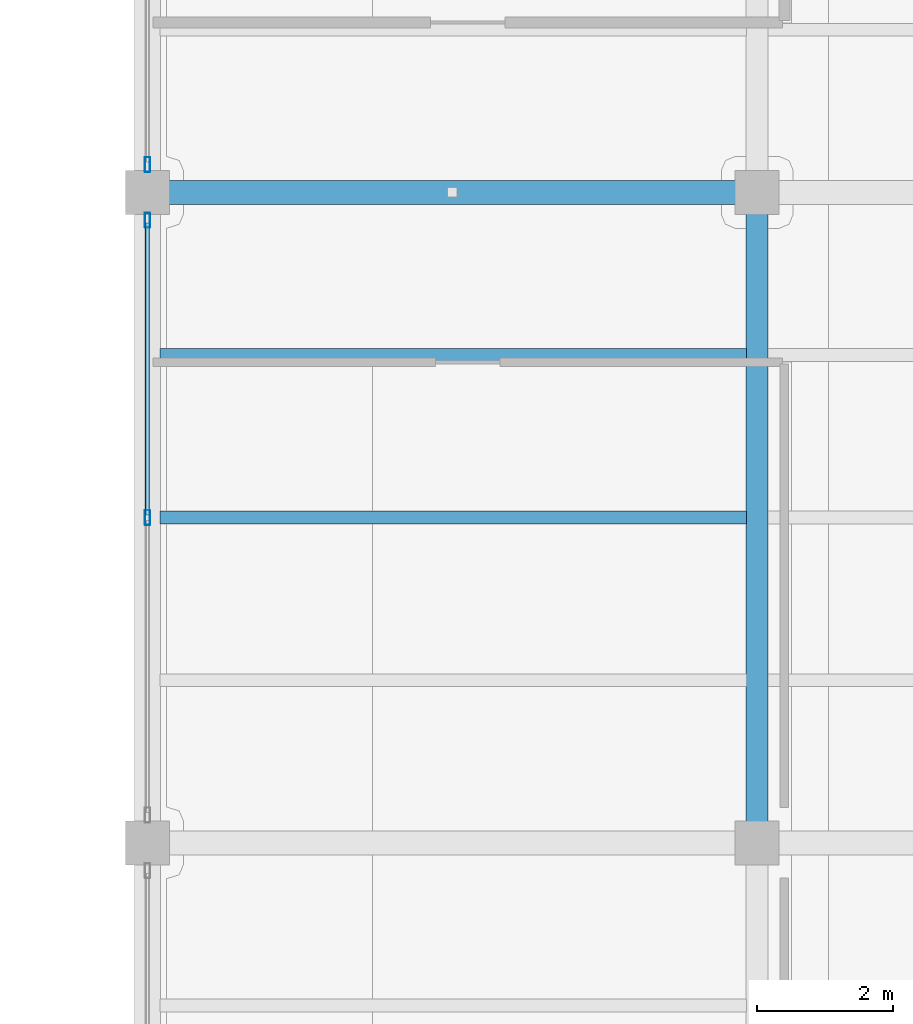
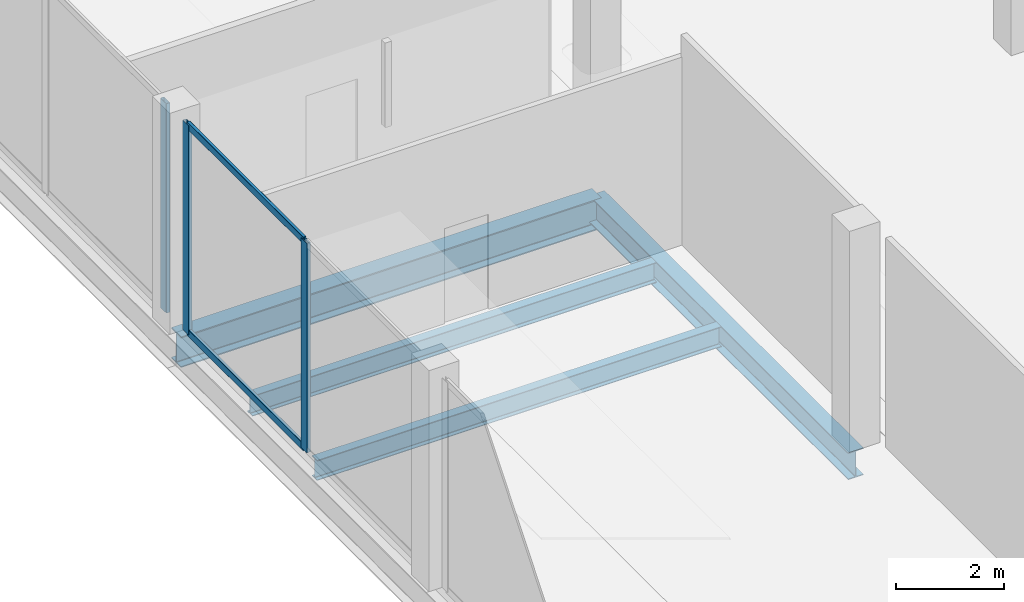
# One storey, part 7 of 46: 5 members, 4 beams, 2 elements without a shape of their own.
"""IFC4 building model written with IfcOpenShell, lengths in metres."""

import ifcopenshell
import ifcopenshell.guid

model = None  # the IFC model being written
_history = None  # IfcOwnerHistory: only IFC2X3 demands one
_inside = {}  # id of a spatial element -> (the spatial element, [elements in it])
_under = {}  # id of a project, library or spatial element -> (it, [spatial elements below it])
_declared = {}  # id of a project -> (the project, [libraries it declares])
_typed = {}  # id of a type object -> (the type object, [elements of that type])
_made_of = {}  # id of a material, layer set ... -> (it, [elements and type objects made of it])


def new_model(schema):
    """Start an empty IFC model of exactly this schema.

    Asked for "IFC4X3", IfcOpenShell would pick the latest addendum, in which some entities
    have other attributes; the version numbers below select the first issue.
    IFC2X3 requires an IfcOwnerHistory on every rooted entity: one is made here for all.
    """
    global model, _history
    if schema == "IFC4X3":
        model = ifcopenshell.file(schema_version=(4, 3, 0, 0))
    else:
        model = ifcopenshell.file(schema=schema)
    _inside.clear()
    _under.clear()
    _declared.clear()
    _typed.clear()
    _made_of.clear()
    _history = None
    if model.schema == "IFC2X3":
        org = make("IfcOrganization", Name="unknown")
        user = make(
            "IfcPersonAndOrganization",
            ThePerson=make("IfcPerson", FamilyName="unknown"),
            TheOrganization=org,
        )
        app = make(
            "IfcApplication",
            ApplicationDeveloper=org,
            Version="unknown",
            ApplicationFullName="unknown",
            ApplicationIdentifier="unknown",
        )
        _history = make(
            "IfcOwnerHistory",
            OwningUser=user,
            OwningApplication=app,
            ChangeAction="ADDED",
            CreationDate=0,
        )
    return model


def make(cls, **values):
    """One entity of the class cls with the attributes given. An attribute that is None is left unset."""
    return model.create_entity(
        cls, **{name: value for name, value in values.items() if value is not None}
    )


def rooted(cls, **values):
    """An entity with a GlobalId (a new one), such as an element, a storey or a relation."""
    return make(cls, GlobalId=ifcopenshell.guid.new(), OwnerHistory=_history, **values)


def si_unit(unit_type, name, prefix=None):
    """IfcSIUnit, for example si_unit("LENGTHUNIT", "METRE", prefix="MILLI")."""
    return make("IfcSIUnit", UnitType=unit_type, Prefix=prefix, Name=name)


def assignment(units):
    """IfcUnitAssignment: the units of a project."""
    return None if units is None else make("IfcUnitAssignment", Units=units)


def point(xyz):
    """IfcCartesianPoint."""
    return None if xyz is None else make("IfcCartesianPoint", Coordinates=xyz)


def direction(xyz):
    """IfcDirection."""
    return None if xyz is None else make("IfcDirection", DirectionRatios=xyz)


def frame(location, z_axis=None, x_axis=None):
    """IfcAxis2Placement3D, a coordinate frame: its origin and axes. An axis left out is left unset."""
    return make(
        "IfcAxis2Placement3D",
        Location=point(location),
        Axis=direction(z_axis),
        RefDirection=direction(x_axis),
    )


def frame_2d(location, x_axis=None):
    """IfcAxis2Placement2D, a coordinate frame in the plane: its origin and x axis."""
    return make(
        "IfcAxis2Placement2D", Location=point(location), RefDirection=direction(x_axis)
    )


def origin():
    """The frame at (0, 0, 0) with its axes left unset."""
    return frame((0.0, 0.0, 0.0))


def origin_2d():
    """The frame at (0, 0) in the plane with its x axis left unset."""
    return frame_2d((0.0, 0.0))


def place(relative_to, where):
    """IfcLocalPlacement: puts the frame where relative to a parent placement (None: the world)."""
    return make(
        "IfcLocalPlacement", PlacementRelTo=relative_to, RelativePlacement=where
    )


def context(
    kind, dimensions, precision=None, world=None, true_north=None, identifier=None
):
    """IfcGeometricRepresentationContext, for example the 3D "Model" context."""
    return make(
        "IfcGeometricRepresentationContext",
        ContextIdentifier=identifier,
        ContextType=kind,
        CoordinateSpaceDimension=dimensions,
        Precision=precision,
        WorldCoordinateSystem=world,
        TrueNorth=true_north,
    )


def subcontext(parent, identifier, kind, view, scale=None):
    """IfcGeometricRepresentationSubContext, for example "Body" below "Model"."""
    return make(
        "IfcGeometricRepresentationSubContext",
        ContextIdentifier=identifier,
        ContextType=kind,
        ParentContext=parent,
        TargetScale=scale,
        TargetView=view,
    )


def project(units=None, contexts=None):
    """IfcProject with its units and contexts."""
    return rooted(
        "IfcProject",
        Name="project",
        RepresentationContexts=contexts,
        UnitsInContext=assignment(units),
    )


def spatial(cls, under=None, at=None, **own):
    """A site, building, storey or space (cls), placed at a placement, below another one or the project."""
    s = rooted(cls, ObjectPlacement=at, **own)
    if under is not None:
        _under.setdefault(under.id(), (under, []))[1].append(s)
    return s


def profile(cls, at=None, kind="AREA", **sizes):
    """A parametric profile (cls). Its sizes go by their IFC names, for example OverallWidth=200.0."""
    return make(cls, ProfileType=kind, Position=at, **sizes)


def hollow_rectangle(**sizes):
    """IfcRectangleHollowProfileDef."""
    return profile("IfcRectangleHollowProfileDef", **sizes)


def i_section(**sizes):
    """IfcIShapeProfileDef."""
    return profile("IfcIShapeProfileDef", **sizes)


def extrude(swept, where, along, depth):
    """IfcExtrudedAreaSolid: the profile swept, set in the frame where, extruded along a direction by depth."""
    return make(
        "IfcExtrudedAreaSolid",
        SweptArea=swept,
        Position=where,
        ExtrudedDirection=direction(along),
        Depth=depth,
    )


def shape(context_of_items, identifier, shape_type, items):
    """IfcShapeRepresentation: the items that make up one representation, for example the "Body"."""
    return make(
        "IfcShapeRepresentation",
        ContextOfItems=context_of_items,
        RepresentationIdentifier=identifier,
        RepresentationType=shape_type,
        Items=items,
    )


def material(Name=None, Category=None):
    """IfcMaterial."""
    return make("IfcMaterial", Name=Name, Category=Category)


def layer(
    of_material, thickness, ventilated=None, Name=None, Category=None, Priority=None
):
    """IfcMaterialLayer: one layer of a wall or slab, of a material (None: an air gap)."""
    return make(
        "IfcMaterialLayer",
        Material=of_material,
        LayerThickness=thickness,
        IsVentilated=ventilated,
        Name=Name,
        Category=Category,
        Priority=Priority,
    )


def layer_set(layers, Name=None):
    """IfcMaterialLayerSet."""
    return make("IfcMaterialLayerSet", MaterialLayers=layers, LayerSetName=Name)


def material_profile(
    of_material, cross_section, Name=None, Category=None, Priority=None
):
    """IfcMaterialProfile: a cross section and its material."""
    return make(
        "IfcMaterialProfile",
        Name=Name,
        Material=of_material,
        Profile=cross_section,
        Priority=Priority,
        Category=Category,
    )


def profile_set(profiles, Name=None, composite=None):
    """IfcMaterialProfileSet."""
    return make(
        "IfcMaterialProfileSet",
        Name=Name,
        MaterialProfiles=profiles,
        CompositeProfile=composite,
    )


def made_of(thing, what):
    """Note that an element or type object is made of a material, layer set ...; save() writes the relation."""
    if what is not None:
        _made_of.setdefault(what.id(), (what, []))[1].append(thing)
    return thing


def type_object(cls, material=None, **own):
    """A type object (cls), such as IfcWallType, which elements share."""
    return made_of(rooted(cls, **own), material)


def element(
    cls,
    number,
    at=None,
    inside=None,
    cuts=None,
    type_object=None,
    material=None,
    context=None,
    identifier="Body",
    shape_type=None,
    held_by="IfcProductDefinitionShape",
    body=None,
    shapes=None,
    **own,
):
    """One element of the class cls, such as IfcWall. Its Tag is "e" and its number.

    at: its placement. inside: the storey or other place that contains it. cuts: it is an
    opening in that element (IfcRelVoidsElement). A single representation is given by context,
    identifier, shape_type and body (its items); several are given by shapes. held_by: the class
    of the entity that holds the representations. save() writes the other relations.
    """
    e = rooted(cls, Tag="e%d" % number, ObjectPlacement=at, **own)
    if body is not None:
        shapes = [shape(context, identifier, shape_type, body)]
    if shapes is not None:
        e.Representation = make(held_by, Representations=shapes)
    if inside is not None:
        _inside.setdefault(inside.id(), (inside, []))[1].append(e)
    if cuts is not None:
        rooted(
            "IfcRelVoidsElement", RelatingBuildingElement=cuts, RelatedOpeningElement=e
        )
    if type_object is not None:
        _typed.setdefault(type_object.id(), (type_object, []))[1].append(e)
    return made_of(e, material)


def aggregate(whole, parts):
    """IfcRelAggregates: a whole, such as a stair, and the parts it consists of."""
    return rooted("IfcRelAggregates", RelatingObject=whole, RelatedObjects=parts)


def save(model, path):
    """Write the relations noted so far, then the file.

    IfcRelAggregates (storeys below a building ...), IfcRelContainedInSpatialStructure (elements
    in a storey), IfcRelDefinesByType, IfcRelAssociatesMaterial and IfcRelDeclares: one each for
    every whole, place, type object, material and project.
    """
    for whole, parts in _under.values():
        aggregate(whole, parts)
    for where, things in _inside.values():
        rooted(
            "IfcRelContainedInSpatialStructure",
            RelatedElements=things,
            RelatingStructure=where,
        )
    for kind, things in _typed.values():
        rooted("IfcRelDefinesByType", RelatedObjects=things, RelatingType=kind)
    for what, things in _made_of.values():
        rooted("IfcRelAssociatesMaterial", RelatedObjects=things, RelatingMaterial=what)
    for by, libraries in _declared.values():
        rooted("IfcRelDeclares", RelatingContext=by, RelatedDefinitions=libraries)
    model.write(path)


model = new_model("IFC4")

# Units and contexts
model_context = context("Model", 3, precision=1e-05, world=origin(), true_north=direction((0.0, 1.0)))
body_context = subcontext(model_context, "Body", "Model", "MODEL_VIEW")
ifc_project = project(units=[si_unit("LENGTHUNIT", "METRE"), si_unit("AREAUNIT", "SQUARE_METRE"), si_unit("VOLUMEUNIT", "CUBIC_METRE"), si_unit("PLANEANGLEUNIT", "RADIAN"), si_unit("MASSUNIT", "GRAM", prefix="KILO")], contexts=[model_context])

# Site, building, storey
site_placement = place(None, origin())
site = spatial("IfcSite", under=ifc_project, at=site_placement, CompositionType="ELEMENT")
building_placement = place(site_placement, origin())
building = spatial("IfcBuilding", under=site, at=building_placement, Name="Qorvath Tower", CompositionType="ELEMENT")
storey_placement = place(building_placement, frame((0.0, 0.0, 17.0)))
storey = spatial("IfcBuildingStorey", under=building, at=storey_placement, Name="L03", CompositionType="ELEMENT", Elevation=17.0)

# Beams
ifc_material_1 = material(Name="Steel ASTM A992 Grade 50", Category="steel")
ifc_material_profile_1 = material_profile(ifc_material_1, i_section(OverallWidth=0.35595703125, OverallDepth=0.696044921875, WebThickness=0.015380859375, FlangeThickness=0.02490234375, FilletRadius=0.01806640625, at=origin_2d()), Name="W27x146")
ifc_profile_set_1 = profile_set([ifc_material_profile_1], Name="Steel ASTM A992 Grade 50")
beam_type_1 = type_object("IfcBeamType", Name="BM-FG4", PredefinedType="BEAM", material=ifc_profile_set_1)
beam_1_placement = place(storey_placement, frame((32.39990234375, 0.0, -0.60791015625), z_axis=(1.0, 0.0, 0.0), x_axis=(0.0, 1.0, 0.0)))
element("IfcBeam", 1, at=beam_1_placement, inside=storey, type_object=beam_type_1, Name="Library E-W Girder L03-5-1", PredefinedType="BEAM", context=body_context, shape_type="SweptSolid", body=[
    extrude(i_section(OverallWidth=0.35595703125, OverallDepth=0.696044921875, WebThickness=0.015380859375, FlangeThickness=0.02490234375, FilletRadius=0.01806640625, at=origin_2d()), origin(), (0.0, 0.0, 1.0), 9.0),
])
ifc_material_2 = material(Name="Steel ASTM A992 Grade 50", Category="steel")
ifc_material_profile_2 = material_profile(ifc_material_2, i_section(OverallWidth=0.324951171875, OverallDepth=0.615966796875, WebThickness=0.013916015625, FlangeThickness=0.021484375, FilletRadius=0.01611328125, at=origin_2d()), Name="W24x117")
ifc_profile_set_2 = profile_set([ifc_material_profile_2], Name="Steel ASTM A992 Grade 50")
beam_type_2 = type_object("IfcBeamType", Name="BM-FG5", PredefinedType="BEAM", material=ifc_profile_set_2)
beam_2_placement = place(storey_placement, frame((41.39990234375, -9.60009765625, -0.568115234375), z_axis=(0.0, 1.0, 0.0), x_axis=(-1.0, 0.0, 0.0)))
element("IfcBeam", 2, at=beam_2_placement, inside=storey, type_object=beam_type_2, Name="Library N-S Girder L03-2-4", PredefinedType="BEAM", context=body_context, shape_type="SweptSolid", body=[
    extrude(i_section(OverallWidth=0.324951171875, OverallDepth=0.615966796875, WebThickness=0.013916015625, FlangeThickness=0.021484375, FilletRadius=0.01611328125, at=origin_2d()), origin(), (0.0, 0.0, 1.0), 9.60009765625),
])
ifc_material_3 = material(Name="Steel ASTM A992 Grade 50", Category="steel")
ifc_material_profile_3 = material_profile(ifc_material_3, i_section(OverallWidth=0.18994140625, OverallDepth=0.45703125, WebThickness=0.009033203125, FlangeThickness=0.014404296875, FilletRadius=0.011962890625, at=origin_2d()), Name="W18x50")
ifc_profile_set_3 = profile_set([ifc_material_profile_3], Name="Steel ASTM A992 Grade 50")
beam_type_3 = type_object("IfcBeamType", Name="BM-FJ2", PredefinedType="JOIST", material=ifc_profile_set_3)
for number, where, z_axis, x_axis, name in (
    (3, (32.58837890625, -4.800048828125, -0.488525390625), (1.0, 0.0, 0.0), (0.0, 1.0, 0.0), "Library Stack Joist L03-4.2-1"),
    (4, (32.58837890625, -2.39990234375, -0.488525390625), (1.0, 0.0, 0.0), (0.0, 1.0, 0.0), "Library Stack Joist L03-4.3-1"),
):
    element("IfcBeam", number, at=place(storey_placement, frame(where, z_axis=z_axis, x_axis=x_axis)), inside=storey, type_object=beam_type_3, Name=name, PredefinedType="JOIST", context=body_context, shape_type="SweptSolid", body=[
        extrude(i_section(OverallWidth=0.18994140625, OverallDepth=0.45703125, WebThickness=0.009033203125, FlangeThickness=0.014404296875, FilletRadius=0.011962890625, at=origin_2d()), origin(), (0.0, 0.0, 1.0), 8.651123046875),
    ])

# Curtain wall, members
ifc_material_4 = material(Name="Anodised aluminium and triple low-E glass", Category="aluminium")
ifc_layer = layer(ifc_material_4, 0.179931640625)
ifc_layer_set = layer_set([ifc_layer], Name="CW-SYS-6")
curtain_wall_type = type_object("IfcCurtainWallType", Name="CW-SYS-6", PredefinedType="NOTDEFINED", material=ifc_layer_set)
curtain_wall_1_placement = place(storey_placement, origin())
curtain_wall_1 = element("IfcCurtainWall", 5, at=curtain_wall_1_placement, inside=storey, type_object=curtain_wall_type, Name="Curtain Wall CW-6 CW-LIB-W-L03-4", PredefinedType="NOTDEFINED")
ifc_material_5 = material(Name="Anodised aluminium 6063-T6", Category="aluminium")
ifc_material_profile_4 = material_profile(ifc_material_5, hollow_rectangle(XDim=0.080078125, YDim=0.219970703125, WallThickness=0.00439453125, InnerFilletRadius=0.00439453125, OuterFilletRadius=0.009033203125, at=origin_2d()), Name="CWM LIB 220x80")
ifc_profile_set_4 = profile_set([ifc_material_profile_4], Name="Anodised aluminium 6063-T6")
member_type_1 = type_object("IfcMemberType", Name="CWM-LIB", PredefinedType="MULLION", material=ifc_profile_set_4)
member_1_placement = place(storey_placement, frame((32.39990234375, -4.800048828125, 0.0), z_axis=(0.0, 0.0, 1.0), x_axis=(-1.0, 0.0, 0.0)))
member_1 = element("IfcMember", 6, at=member_1_placement, type_object=member_type_1, Name="CW-6 mullion 2", PredefinedType="MULLION", context=body_context, shape_type="SweptSolid", body=[
    extrude(hollow_rectangle(XDim=0.080078125, YDim=0.219970703125, WallThickness=0.00439453125, InnerFilletRadius=0.00439453125, OuterFilletRadius=0.009033203125, at=origin_2d()), origin(), (0.0, 0.0, 1.0), 4.739990234375),
])
member_2_placement = place(storey_placement, frame((32.39990234375, -0.41015625, 0.0), z_axis=(0.0, 0.0, 1.0), x_axis=(-1.0, 0.0, 0.0)))
member_2 = element("IfcMember", 7, at=member_2_placement, type_object=member_type_1, Name="CW-6 mullion 3", PredefinedType="MULLION", context=body_context, shape_type="SweptSolid", body=[
    extrude(hollow_rectangle(XDim=0.080078125, YDim=0.219970703125, WallThickness=0.00439453125, InnerFilletRadius=0.00439453125, OuterFilletRadius=0.009033203125, at=origin_2d()), origin(), (0.0, 0.0, 1.0), 4.739990234375),
])

# Curtain wall, member
curtain_wall_2_placement = place(storey_placement, origin())
curtain_wall_2 = element("IfcCurtainWall", 8, at=curtain_wall_2_placement, inside=storey, type_object=curtain_wall_type, Name="Curtain Wall CW-6 CW-LIB-W-L03-5", PredefinedType="NOTDEFINED")
member_3_placement = place(storey_placement, frame((32.39990234375, 0.41015625, 0.0), z_axis=(0.0, 0.0, 1.0), x_axis=(-1.0, 0.0, 0.0)))
member_3 = element("IfcMember", 9, at=member_3_placement, type_object=member_type_1, Name="CW-6 mullion 1", PredefinedType="MULLION", context=body_context, shape_type="SweptSolid", body=[
    extrude(hollow_rectangle(XDim=0.080078125, YDim=0.219970703125, WallThickness=0.00439453125, InnerFilletRadius=0.00439453125, OuterFilletRadius=0.009033203125, at=origin_2d()), origin(), (0.0, 0.0, 1.0), 4.739990234375),
])
aggregate(curtain_wall_2, [member_3])

# Member
ifc_material_6 = material(Name="Anodised aluminium 6063-T6", Category="aluminium")
ifc_material_profile_5 = material_profile(ifc_material_6, hollow_rectangle(XDim=0.06494140625, YDim=0.159912109375, WallThickness=0.00341796875, InnerFilletRadius=0.00341796875, OuterFilletRadius=0.007080078125, at=origin_2d()), Name="CWT 160x65")
ifc_profile_set_5 = profile_set([ifc_material_profile_5], Name="Anodised aluminium 6063-T6")
member_type_2 = type_object("IfcMemberType", Name="CWT-160", PredefinedType="USERDEFINED", material=ifc_profile_set_5)
member_4_placement = place(storey_placement, frame((32.39990234375, -4.760009765625, 0.032470703125), z_axis=(0.0, 1.0, 0.0), x_axis=(-1.0, 0.0, 0.0)))
member_4 = element("IfcMember", 10, at=member_4_placement, type_object=member_type_2, Name="CW-6 transom 2.1", ObjectType="TRANSOM", PredefinedType="USERDEFINED", context=body_context, shape_type="SweptSolid", body=[
    extrude(hollow_rectangle(XDim=0.06494140625, YDim=0.159912109375, WallThickness=0.00341796875, InnerFilletRadius=0.00341796875, OuterFilletRadius=0.007080078125, at=origin_2d()), origin(), (0.0, 0.0, 1.0), 4.309814453125),
])

member_5_placement = place(storey_placement, frame((32.39990234375, -4.760009765625, 4.70751953125), z_axis=(0.0, 1.0, 0.0), x_axis=(-1.0, 0.0, 0.0)))
member_5 = element("IfcMember", 11, at=member_5_placement, type_object=member_type_2, Name="CW-6 transom 2.2", ObjectType="TRANSOM", PredefinedType="USERDEFINED", context=body_context, shape_type="SweptSolid", body=[
    extrude(hollow_rectangle(XDim=0.06494140625, YDim=0.159912109375, WallThickness=0.00341796875, InnerFilletRadius=0.00341796875, OuterFilletRadius=0.007080078125, at=origin_2d()), origin(), (0.0, 0.0, 1.0), 4.309814453125),
])

aggregate(curtain_wall_1, [member_1, member_2, member_4, member_5])

save(model, "model.ifc")
